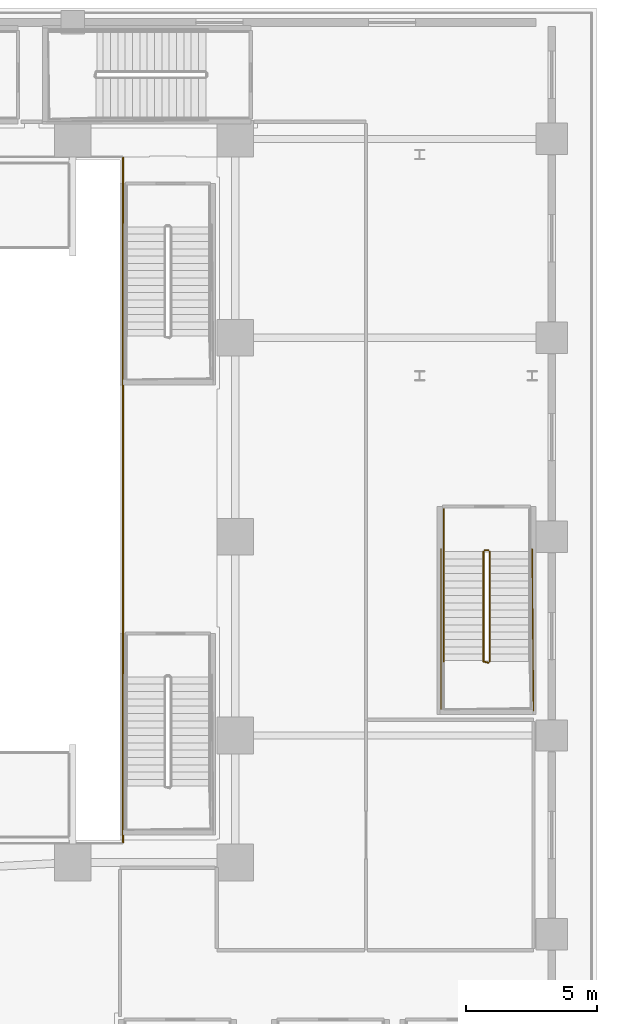
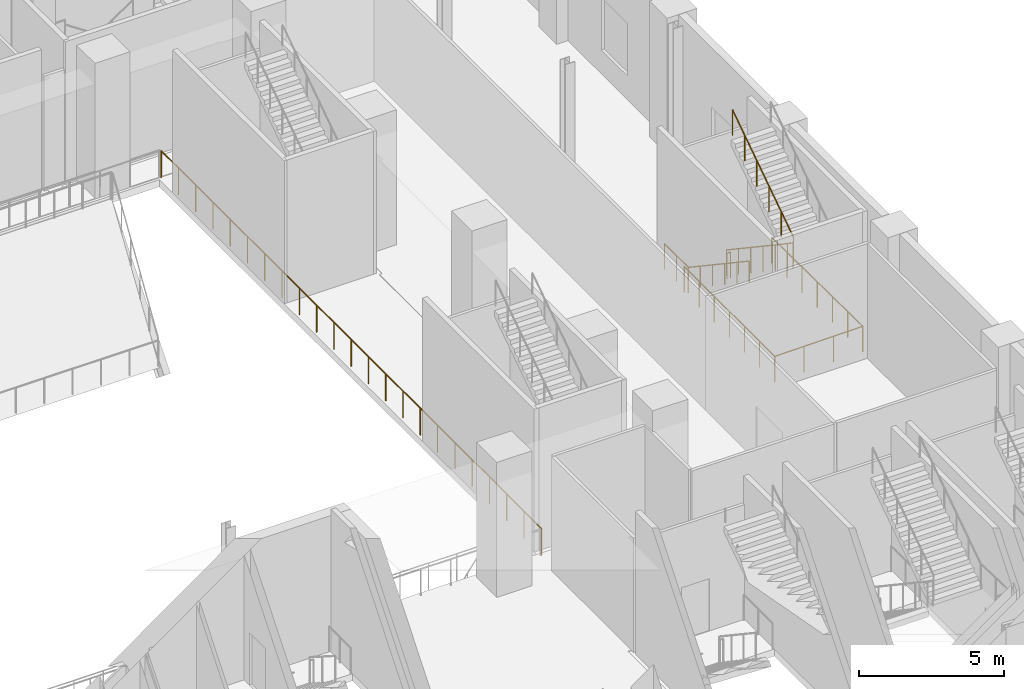
# One storey, part 28 of 30: 7 railings.
"""IFC4 building model written with IfcOpenShell, lengths in metres."""

from ifc_helpers import new_model, si_unit, direction, frame, origin, origin_2d, place, context, subcontext, project, spatial, circle, extrude, material, layer, layer_set, type_object, element, save


model = new_model("IFC4")

# Units and contexts
model_context = context("Model", 3, precision=1e-05, world=origin(), true_north=direction((0.0, 1.0)))
body_context = subcontext(model_context, "Body", "Model", "MODEL_VIEW")
ifc_project = project(units=[si_unit("LENGTHUNIT", "METRE"), si_unit("AREAUNIT", "SQUARE_METRE"), si_unit("VOLUMEUNIT", "CUBIC_METRE"), si_unit("PLANEANGLEUNIT", "RADIAN"), si_unit("MASSUNIT", "GRAM", prefix="KILO")], contexts=[model_context])

# Site, building, storey
site_placement = place(None, origin())
site = spatial("IfcSite", under=ifc_project, at=site_placement, CompositionType="ELEMENT")
building_placement = place(site_placement, origin())
building = spatial("IfcBuilding", under=site, at=building_placement, Name="Ndaravel Arena Tower", CompositionType="ELEMENT")
storey_placement = place(building_placement, frame((0.0, 0.0, 6.0)))
storey = spatial("IfcBuildingStorey", under=building, at=storey_placement, Name="L01", CompositionType="ELEMENT", Elevation=6.0)

# Railings
ifc_material_1 = material(Name="Steel S355", Category="steel")
ifc_layer_1 = layer(ifc_material_1, 0.06005859375)
ifc_layer_set_1 = layer_set([ifc_layer_1], Name="Steel S355")
railing_type_1 = type_object("IfcRailingType", Name="RAIL-STAIR-GD1100", PredefinedType="GUARDRAIL", material=ifc_layer_set_1)
railing_1_placement = place(storey_placement, frame((79.68994140625, 27.22998046875, 0.1875)))
element("IfcRailing", 1, at=railing_1_placement, inside=storey, type_object=railing_type_1, Name="L01 ST-A12 stair guard 1", PredefinedType="GUARDRAIL", context=body_context, shape_type="SweptSolid", body=[
    extrude(circle(Radius=0.02392578125, at=origin_2d()), frame((0.0, 0.0, 1.076171875), z_axis=(0.0, -0.830904186295, 0.556415522067), x_axis=(1.0, 0.0, 0.0)), (0.0, 0.0, 1.0), 5.0546875),
    extrude(circle(Radius=0.02392578125, at=origin_2d()), frame((0.0, -4.199951171875, 3.888671875), z_axis=(0.966993988697, -0.254799187253, 0.0), x_axis=(0.254799187253, 0.966993988697, 0.0)), (0.0, 0.0, 1.0), 0.196533203125),
    extrude(circle(Radius=0.02099609375, at=origin_2d()), origin(), (0.0, 0.0, 1.0), 1.052001953125),
    extrude(circle(Radius=0.02099609375, at=origin_2d()), frame((0.0, -0.840087890625, 0.5625)), (0.0, 0.0, 1.0), 1.052001953125),
    extrude(circle(Radius=0.02099609375, at=origin_2d()), frame((0.0, -1.679931640625, 1.125)), (0.0, 0.0, 1.0), 1.052001953125),
    extrude(circle(Radius=0.02099609375, at=origin_2d()), frame((0.0, -2.52001953125, 1.6875)), (0.0, 0.0, 1.0), 1.052001953125),
    extrude(circle(Radius=0.02099609375, at=origin_2d()), frame((0.0, -3.35986328125, 2.25)), (0.0, 0.0, 1.0), 1.052001953125),
    extrude(circle(Radius=0.02099609375, at=origin_2d()), frame((0.0, -4.199951171875, 2.8125)), (0.0, 0.0, 1.0), 1.052001953125),
    extrude(circle(Radius=0.02099609375, at=origin_2d()), frame((0.18994140625, -4.25, 2.8125)), (0.0, 0.0, 1.0), 1.052001953125),
])
railing_2_placement = place(storey_placement, frame((79.929931640625, 23.030029296875, 3.1875)))
element("IfcRailing", 2, at=railing_2_placement, inside=storey, type_object=railing_type_1, Name="L01 ST-A12 stair guard 3", PredefinedType="GUARDRAIL", context=body_context, shape_type="SweptSolid", body=[
    extrude(circle(Radius=0.02392578125, at=origin_2d()), frame((0.0, 0.0, 1.076171875), z_axis=(0.0, 0.830904186295, 0.556415522067), x_axis=(-1.0, 0.0, 0.0)), (0.0, 0.0, 1.0), 5.0546875),
    extrude(circle(Radius=0.02099609375, at=origin_2d()), origin(), (0.0, 0.0, 1.0), 1.052001953125),
    extrude(circle(Radius=0.02099609375, at=origin_2d()), frame((0.0, 0.840087890625, 0.5625)), (0.0, 0.0, 1.0), 1.052001953125),
    extrude(circle(Radius=0.02099609375, at=origin_2d()), frame((0.0, 1.679931640625, 1.125)), (0.0, 0.0, 1.0), 1.052001953125),
    extrude(circle(Radius=0.02099609375, at=origin_2d()), frame((0.0, 2.52001953125, 1.6875)), (0.0, 0.0, 1.0), 1.052001953125),
    extrude(circle(Radius=0.02099609375, at=origin_2d()), frame((0.0, 3.35986328125, 2.25)), (0.0, 0.0, 1.0), 1.052001953125),
    extrude(circle(Radius=0.02099609375, at=origin_2d()), frame((0.0, 4.199951171875, 2.8125)), (0.0, 0.0, 1.0), 1.052001953125),
])
railing_3_placement = place(storey_placement, frame((79.739990234375, 27.280029296875, 0.0)))
element("IfcRailing", 3, at=railing_3_placement, inside=storey, type_object=railing_type_1, Name="L01 ST-A12 stair guard 4", PredefinedType="GUARDRAIL", context=body_context, shape_type="SweptSolid", body=[
    extrude(circle(Radius=0.02392578125, at=origin_2d()), frame((0.0, 0.0, 1.076171875), z_axis=(1.0, 0.0, 0.0), x_axis=(0.0, 1.0, 0.0)), (0.0, 0.0, 1.0), 0.139892578125),
    extrude(circle(Radius=0.02099609375, at=origin_2d()), origin(), (0.0, 0.0, 1.0), 1.052001953125),
    extrude(circle(Radius=0.02099609375, at=origin_2d()), frame((0.139892578125, 0.0, 0.0)), (0.0, 0.0, 1.0), 1.052001953125),
])
railing_4_placement = place(storey_placement, frame((78.169921875, 28.85009765625, 0.0)))
element("IfcRailing", 4, at=railing_4_placement, inside=storey, type_object=railing_type_1, Name="L01 ST-A12 stair guard 5", PredefinedType="GUARDRAIL", context=body_context, shape_type="SweptSolid", body=[
    extrude(circle(Radius=0.02392578125, at=origin_2d()), frame((0.0, 0.0, 1.076171875), z_axis=(0.0, -1.0, 0.0), x_axis=(1.0, 0.0, 0.0)), (0.0, 0.0, 1.0), 1.6201171875),
    extrude(circle(Radius=0.02099609375, at=origin_2d()), origin(), (0.0, 0.0, 1.0), 1.052001953125),
    extrude(circle(Radius=0.02099609375, at=origin_2d()), frame((0.0, -0.81005859375, 0.0)), (0.0, 0.0, 1.0), 1.052001953125),
    extrude(circle(Radius=0.02099609375, at=origin_2d()), frame((0.0, -1.6201171875, 0.0)), (0.0, 0.0, 1.0), 1.052001953125),
])
railing_5_placement = place(storey_placement, frame((78.070068359375, 27.330078125, 0.0)))
element("IfcRailing", 5, at=railing_5_placement, inside=storey, type_object=railing_type_1, Name="L01 ST-A12 stair guard 7", PredefinedType="GUARDRAIL", context=body_context, shape_type="SweptSolid", body=[
    extrude(circle(Radius=0.02392578125, at=origin_2d()), frame((0.0, 0.0, 1.076171875), z_axis=(0.0, -1.0, 0.0), x_axis=(1.0, 0.0, 0.0)), (0.0, 0.0, 1.0), 6.22998046875),
    extrude(circle(Radius=0.02392578125, at=origin_2d()), frame((0.0, -6.22998046875, 1.076171875), z_axis=(0.999900484898, 0.014107455489, 0.0), x_axis=(-0.014107455489, 0.999900484898, 0.0)), (0.0, 0.0, 1.0), 3.5302734375),
    extrude(circle(Radius=0.02392578125, at=origin_2d()), frame((3.530029296875, -6.18017578125, 1.076171875), z_axis=(-0.008098019995, 0.999967210499, 0.0), x_axis=(-0.999967210499, -0.008098019995, 0.0)), (0.0, 0.0, 1.0), 6.180419921875),
    extrude(circle(Radius=0.02099609375, at=origin_2d()), origin(), (0.0, 0.0, 1.0), 1.052001953125),
    extrude(circle(Radius=0.02099609375, at=origin_2d()), frame((0.0, -1.038330078125, 0.0)), (0.0, 0.0, 1.0), 1.052001953125),
    extrude(circle(Radius=0.02099609375, at=origin_2d()), frame((0.0, -2.07666015625, 0.0)), (0.0, 0.0, 1.0), 1.052001953125),
    extrude(circle(Radius=0.02099609375, at=origin_2d()), frame((0.0, -3.114990234375, 0.0)), (0.0, 0.0, 1.0), 1.052001953125),
    extrude(circle(Radius=0.02099609375, at=origin_2d()), frame((0.0, -4.1533203125, 0.0)), (0.0, 0.0, 1.0), 1.052001953125),
    extrude(circle(Radius=0.02099609375, at=origin_2d()), frame((0.0, -5.191650390625, 0.0)), (0.0, 0.0, 1.0), 1.052001953125),
    extrude(circle(Radius=0.02099609375, at=origin_2d()), frame((0.0, -6.22998046875, 0.0)), (0.0, 0.0, 1.0), 1.052001953125),
    extrude(circle(Radius=0.02099609375, at=origin_2d()), frame((1.1767578125, -6.21337890625, 0.0)), (0.0, 0.0, 1.0), 1.052001953125),
    extrude(circle(Radius=0.02099609375, at=origin_2d()), frame((2.353271484375, -6.19677734375, 0.0)), (0.0, 0.0, 1.0), 1.052001953125),
    extrude(circle(Radius=0.02099609375, at=origin_2d()), frame((3.530029296875, -6.18017578125, 0.0)), (0.0, 0.0, 1.0), 1.052001953125),
    extrude(circle(Radius=0.02099609375, at=origin_2d()), frame((3.521728515625, -5.150146484375, 0.0)), (0.0, 0.0, 1.0), 1.052001953125),
    extrude(circle(Radius=0.02099609375, at=origin_2d()), frame((3.513427734375, -4.1201171875, 0.0)), (0.0, 0.0, 1.0), 1.052001953125),
    extrude(circle(Radius=0.02099609375, at=origin_2d()), frame((3.5048828125, -3.090087890625, 0.0)), (0.0, 0.0, 1.0), 1.052001953125),
    extrude(circle(Radius=0.02099609375, at=origin_2d()), frame((3.49658203125, -2.06005859375, 0.0)), (0.0, 0.0, 1.0), 1.052001953125),
    extrude(circle(Radius=0.02099609375, at=origin_2d()), frame((3.48828125, -1.030029296875, 0.0)), (0.0, 0.0, 1.0), 1.052001953125),
    extrude(circle(Radius=0.02099609375, at=origin_2d()), frame((3.47998046875, 0.0, 0.0)), (0.0, 0.0, 1.0), 1.052001953125),
])
ifc_material_2 = material(Name="Steel S355", Category="steel")
ifc_layer_2 = layer(ifc_material_2, 0.050048828125)
ifc_layer_set_2 = layer_set([ifc_layer_2], Name="Steel S355")
railing_type_2 = type_object("IfcRailingType", Name="RAIL-STAIR-HR920", PredefinedType="HANDRAIL", material=ifc_layer_set_2)
railing_6_placement = place(storey_placement, frame((78.169921875, 27.22998046875, 0.1875)))
element("IfcRailing", 6, at=railing_6_placement, inside=storey, type_object=railing_type_2, Name="L01 ST-A12 stair handrail 1", PredefinedType="HANDRAIL", context=body_context, shape_type="SweptSolid", body=[
    extrude(circle(Radius=0.02392578125, at=origin_2d()), frame((0.0, 0.0, 0.8759765625), z_axis=(0.0, -0.830904186295, 0.556415522067), x_axis=(1.0, 0.0, 0.0)), (0.0, 0.0, 1.0), 5.0546875),
    extrude(circle(Radius=0.02099609375, at=origin_2d()), origin(), (0.0, 0.0, 1.0), 0.851806640625),
    extrude(circle(Radius=0.02099609375, at=origin_2d()), frame((0.0, -0.840087890625, 0.5625)), (0.0, 0.0, 1.0), 0.851806640625),
    extrude(circle(Radius=0.02099609375, at=origin_2d()), frame((0.0, -1.679931640625, 1.125)), (0.0, 0.0, 1.0), 0.851806640625),
    extrude(circle(Radius=0.02099609375, at=origin_2d()), frame((0.0, -2.52001953125, 1.6875)), (0.0, 0.0, 1.0), 0.851806640625),
    extrude(circle(Radius=0.02099609375, at=origin_2d()), frame((0.0, -3.35986328125, 2.25)), (0.0, 0.0, 1.0), 0.851806640625),
    extrude(circle(Radius=0.02099609375, at=origin_2d()), frame((0.0, -4.199951171875, 2.8125)), (0.0, 0.0, 1.0), 0.851806640625),
])
ifc_material_3 = material(Name="Glazing", Category="glass")
ifc_layer_3 = layer(ifc_material_3, 0.070068359375)
ifc_layer_set_3 = layer_set([ifc_layer_3], Name="Glazing")
railing_type_3 = type_object("IfcRailingType", Name="RAIL-TERRACE-1150", PredefinedType="BALUSTRADE", material=ifc_layer_set_3)
railing_7_placement = place(storey_placement, frame((65.919921875, 16.1201171875, 0.0)))
element("IfcRailing", 7, at=railing_7_placement, inside=storey, type_object=railing_type_3, Name="L01 Arena Bowl Concourse E Balustrade", PredefinedType="BALUSTRADE", context=body_context, shape_type="SweptSolid", body=[
    extrude(circle(Radius=0.02392578125, at=origin_2d()), frame((0.0, 0.0, 1.1259765625), z_axis=(0.0, 1.0, 0.0), x_axis=(-1.0, 0.0, 0.0)), (0.0, 0.0, 1.0), 26.159912109375),
    extrude(circle(Radius=0.02099609375, at=origin_2d()), origin(), (0.0, 0.0, 1.0), 1.101806640625),
    extrude(circle(Radius=0.02099609375, at=origin_2d()), frame((0.0, 1.18896484375, 0.0)), (0.0, 0.0, 1.0), 1.101806640625),
    extrude(circle(Radius=0.02099609375, at=origin_2d()), frame((0.0, 2.378173828125, 0.0)), (0.0, 0.0, 1.0), 1.101806640625),
    extrude(circle(Radius=0.02099609375, at=origin_2d()), frame((0.0, 3.567138671875, 0.0)), (0.0, 0.0, 1.0), 1.101806640625),
    extrude(circle(Radius=0.02099609375, at=origin_2d()), frame((0.0, 4.75634765625, 0.0)), (0.0, 0.0, 1.0), 1.101806640625),
    extrude(circle(Radius=0.02099609375, at=origin_2d()), frame((0.0, 5.9453125, 0.0)), (0.0, 0.0, 1.0), 1.101806640625),
    extrude(circle(Radius=0.02099609375, at=origin_2d()), frame((0.0, 7.134521484375, 0.0)), (0.0, 0.0, 1.0), 1.101806640625),
    extrude(circle(Radius=0.02099609375, at=origin_2d()), frame((0.0, 8.32373046875, 0.0)), (0.0, 0.0, 1.0), 1.101806640625),
    extrude(circle(Radius=0.02099609375, at=origin_2d()), frame((0.0, 9.5126953125, 0.0)), (0.0, 0.0, 1.0), 1.101806640625),
    extrude(circle(Radius=0.02099609375, at=origin_2d()), frame((0.0, 10.70166015625, 0.0)), (0.0, 0.0, 1.0), 1.101806640625),
    extrude(circle(Radius=0.02099609375, at=origin_2d()), frame((0.0, 11.890869140625, 0.0)), (0.0, 0.0, 1.0), 1.101806640625),
    extrude(circle(Radius=0.02099609375, at=origin_2d()), frame((0.0, 13.080078125, 0.0)), (0.0, 0.0, 1.0), 1.101806640625),
    extrude(circle(Radius=0.02099609375, at=origin_2d()), frame((0.0, 14.26904296875, 0.0)), (0.0, 0.0, 1.0), 1.101806640625),
    extrude(circle(Radius=0.02099609375, at=origin_2d()), frame((0.0, 15.4580078125, 0.0)), (0.0, 0.0, 1.0), 1.101806640625),
    extrude(circle(Radius=0.02099609375, at=origin_2d()), frame((0.0, 16.647216796875, 0.0)), (0.0, 0.0, 1.0), 1.101806640625),
    extrude(circle(Radius=0.02099609375, at=origin_2d()), frame((0.0, 17.83642578125, 0.0)), (0.0, 0.0, 1.0), 1.101806640625),
    extrude(circle(Radius=0.02099609375, at=origin_2d()), frame((0.0, 19.025390625, 0.0)), (0.0, 0.0, 1.0), 1.101806640625),
    extrude(circle(Radius=0.02099609375, at=origin_2d()), frame((0.0, 20.21435546875, 0.0)), (0.0, 0.0, 1.0), 1.101806640625),
    extrude(circle(Radius=0.02099609375, at=origin_2d()), frame((0.0, 21.403564453125, 0.0)), (0.0, 0.0, 1.0), 1.101806640625),
    extrude(circle(Radius=0.02099609375, at=origin_2d()), frame((0.0, 22.5927734375, 0.0)), (0.0, 0.0, 1.0), 1.101806640625),
    extrude(circle(Radius=0.02099609375, at=origin_2d()), frame((0.0, 23.78173828125, 0.0)), (0.0, 0.0, 1.0), 1.101806640625),
    extrude(circle(Radius=0.02099609375, at=origin_2d()), frame((0.0, 24.970703125, 0.0)), (0.0, 0.0, 1.0), 1.101806640625),
    extrude(circle(Radius=0.02099609375, at=origin_2d()), frame((0.0, 26.159912109375, 0.0)), (0.0, 0.0, 1.0), 1.101806640625),
])

save(model, "model.ifc")
